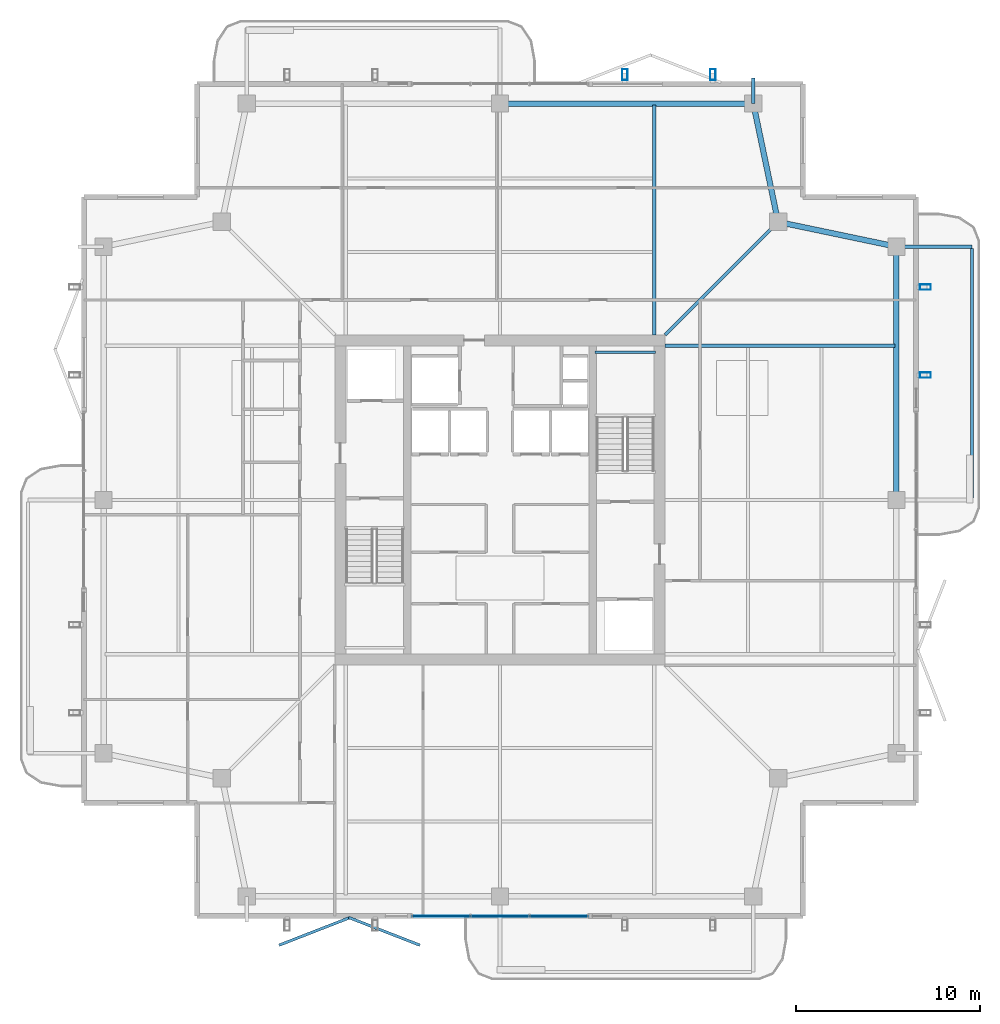
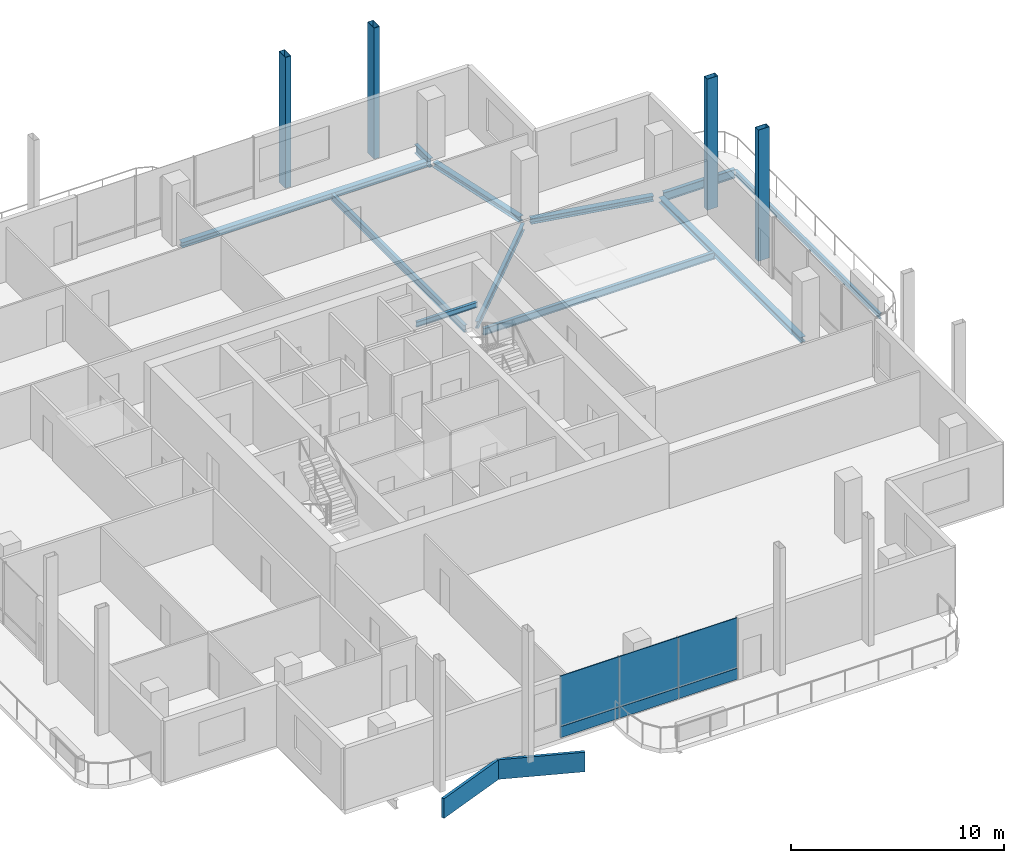
# One storey, part 12 of 20: 11 beams, 8 plates, 4 members, 1 element without a shape of its own.
"""IFC4 building model written with IfcOpenShell, lengths in metres."""

from ifc_helpers import new_model, si_unit, direction, frame, origin, origin_2d, place, context, subcontext, project, spatial, rectangle, hollow_rectangle, i_section, extrude, material, layer, layer_set, material_profile, profile_set, type_object, element, aggregate, save


model = new_model("IFC4")

# Units and contexts
model_context = context("Model", 3, precision=1e-05, world=origin(), true_north=direction((0.0, 1.0)))
body_context = subcontext(model_context, "Body", "Model", "MODEL_VIEW")
ifc_project = project(units=[si_unit("LENGTHUNIT", "METRE"), si_unit("AREAUNIT", "SQUARE_METRE"), si_unit("VOLUMEUNIT", "CUBIC_METRE"), si_unit("PLANEANGLEUNIT", "RADIAN"), si_unit("MASSUNIT", "GRAM", prefix="KILO")], contexts=[model_context])

# Site, building, storey
site_placement = place(None, origin())
site = spatial("IfcSite", under=ifc_project, at=site_placement, CompositionType="ELEMENT")
building_placement = place(site_placement, origin())
building = spatial("IfcBuilding", under=site, at=building_placement, Name="Belovzor Exchange Tower", CompositionType="ELEMENT")
storey_placement = place(building_placement, frame((0.0, 0.0, 299.25)))
storey = spatial("IfcBuildingStorey", under=building, at=storey_placement, Name="L74", CompositionType="ELEMENT", Elevation=299.25)

# Beams
ifc_material_1 = material(Name="Steel S355", Category="steel")
ifc_material_profile_1 = material_profile(ifc_material_1, i_section(OverallWidth=0.199951171875, OverallDepth=0.5, WebThickness=0.01025390625, FlangeThickness=0.01611328125, at=origin_2d()))
ifc_profile_set_1 = profile_set([ifc_material_profile_1], Name="Steel S355")
beam_type_1 = type_object("IfcBeamType", Name="Planted Balcony Cantilever Beam IPE 500", PredefinedType="BEAM", material=ifc_profile_set_1)
beam_1_placement = place(storey_placement, frame((50.660888671875, 42.60009765625, -0.489990234375), z_axis=(1.0, 0.0, 0.0), x_axis=(0.0, 1.0, 0.0)))
element("IfcBeam", 1, at=beam_1_placement, inside=storey, type_object=beam_type_1, Name="BC-500 Planted Balcony Cantilever Beam IPE 500", PredefinedType="BEAM", context=body_context, shape_type="SweptSolid", body=[
    extrude(i_section(OverallWidth=0.199951171875, OverallDepth=0.5, WebThickness=0.01025390625, FlangeThickness=0.01611328125, at=origin_2d()), origin(), (0.0, 0.0, 1.0), 3.85009765625),
])
beam_2_placement = place(storey_placement, frame((42.60009765625, 50.39990234375, -0.489990234375), z_axis=(0.0, 1.0, 0.0), x_axis=(-1.0, 0.0, 0.0)))
element("IfcBeam", 2, at=beam_2_placement, inside=storey, type_object=beam_type_1, Name="BC-500 Planted Balcony Cantilever Beam IPE 500", PredefinedType="BEAM", context=body_context, shape_type="SweptSolid", body=[
    extrude(i_section(OverallWidth=0.199951171875, OverallDepth=0.5, WebThickness=0.01025390625, FlangeThickness=0.01611328125, at=origin_2d()), origin(), (0.0, 0.0, 1.0), 1.400146484375),
])
ifc_material_2 = material(Name="Steel S355", Category="steel")
ifc_material_profile_2 = material_profile(ifc_material_2, i_section(OverallWidth=0.14990234375, OverallDepth=0.300048828125, WebThickness=0.007080078125, FlangeThickness=0.0107421875, at=origin_2d()))
ifc_profile_set_2 = profile_set([ifc_material_profile_2], Name="Steel S355")
beam_type_2 = type_object("IfcBeamType", Name="Planted Balcony Fascia Edge Beam IPE 300", PredefinedType="BEAM", material=ifc_profile_set_2)
beam_3_placement = place(storey_placement, frame((54.510986328125, 28.89990234375, -0.389892578125), z_axis=(0.0, 1.0, 0.0), x_axis=(-1.0, 0.0, 0.0)))
element("IfcBeam", 3, at=beam_3_placement, inside=storey, type_object=beam_type_2, Name="BC-300 Planted Balcony Fascia Edge Beam IPE 300", PredefinedType="BEAM", context=body_context, shape_type="SweptSolid", body=[
    extrude(i_section(OverallWidth=0.14990234375, OverallDepth=0.300048828125, WebThickness=0.007080078125, FlangeThickness=0.0107421875, at=origin_2d()), origin(), (0.0, 0.0, 1.0), 13.60009765625),
])
ifc_material_3 = material(Name="Steel S355", Category="steel")
ifc_material_profile_3 = material_profile(ifc_material_3, i_section(OverallWidth=0.14990234375, OverallDepth=0.300048828125, WebThickness=0.007080078125, FlangeThickness=0.0107421875, at=origin_2d()))
ifc_profile_set_3 = profile_set([ifc_material_profile_3], Name="Steel S355")
beam_type_3 = type_object("IfcBeamType", Name="Secondary Trim Floor Joist IPE 300", PredefinedType="BEAM", material=ifc_profile_set_3)
beam_4_placement = place(storey_placement, frame((37.280029296875, 36.85009765625, 1.52490234375), z_axis=(-1.0, 0.0, 0.0), x_axis=(0.0, -1.0, 0.0)))
element("IfcBeam", 4, at=beam_4_placement, inside=storey, type_object=beam_type_3, Name="FJ-300 Secondary Trim Floor Joist IPE 300", PredefinedType="BEAM", context=body_context, shape_type="SweptSolid", body=[
    extrude(i_section(OverallWidth=0.14990234375, OverallDepth=0.300048828125, WebThickness=0.007080078125, FlangeThickness=0.0107421875, at=origin_2d()), origin(), (0.0, 0.0, 1.0), 3.31005859375),
])

# Members
ifc_material_4 = material(Name="Extruded Architectural Terracotta on Steel S355 Carrier", Category="masonry")
ifc_material_profile_4 = material_profile(ifc_material_4, hollow_rectangle(XDim=0.300048828125, YDim=0.60009765625, WallThickness=0.01611328125, at=origin_2d()))
ifc_profile_set_4 = profile_set([ifc_material_profile_4], Name="Extruded Architectural Terracotta on Steel S355 Carrier")
member_type = type_object("IfcMemberType", Name="Upper Crown Terracotta Fin Assembly 550", PredefinedType="USERDEFINED", material=ifc_profile_set_4)
for number, where, z_axis, x_axis, name in (
    (5, (35.60009765625, 51.97509765625, -0.239990234375), (0.0, 0.0, 1.0), (1.0, 0.0, 0.0), "FIN-TC055 Terracotta Facade Fin L74 N3"),
    (6, (51.97509765625, 35.60009765625, -0.239990234375), (0.0, 0.0, 1.0), (0.0, 1.0, 0.0), "FIN-TC055 Terracotta Facade Fin L74 E3"),
    (7, (40.39990234375, 51.97509765625, -0.239990234375), (0.0, 0.0, 1.0), (1.0, 0.0, 0.0), "FIN-TC055 Terracotta Facade Fin L74 N4"),
    (8, (51.97509765625, 40.39990234375, -0.239990234375), (0.0, 0.0, 1.0), (0.0, 1.0, 0.0), "FIN-TC055 Terracotta Facade Fin L74 E4"),
):
    element("IfcMember", number, at=place(storey_placement, frame(where, z_axis=z_axis, x_axis=x_axis)), inside=storey, type_object=member_type, Name=name, ObjectType="FIN", PredefinedType="USERDEFINED", context=body_context, shape_type="SweptSolid", body=[
        extrude(hollow_rectangle(XDim=0.300048828125, YDim=0.60009765625, WallThickness=0.01611328125, at=origin_2d()), origin(), (0.0, 0.0, 1.0), 7.5),
    ])

# Beams
ifc_material_5 = material(Name="Steel S355", Category="steel")
ifc_material_profile_5 = material_profile(ifc_material_5, i_section(OverallWidth=0.179931640625, OverallDepth=0.39990234375, WebThickness=0.008544921875, FlangeThickness=0.013427734375, at=origin_2d()))
ifc_profile_set_5 = profile_set([ifc_material_profile_5], Name="Steel S355")
beam_type_4 = type_object("IfcBeamType", Name="Zone 5-6 Radial Composite Floor Beam IPE 400", PredefinedType="BEAM", material=ifc_profile_set_5)
for number, where, z_axis, x_axis, name in (
    (9, (37.199951171875, 37.800048828125, -0.43994140625), (0.0, 1.0, 0.0), (-1.0, 0.0, 0.0), "FB-400 Zone 5-6 Radial Composite Floor Beam IPE 400"),
    (10, (37.800048828125, 37.199951171875, -0.43994140625), (1.0, 0.0, 0.0), (0.0, 1.0, 0.0), "FB-400 Zone 5-6 Radial Composite Floor Beam IPE 400"),
):
    element("IfcBeam", number, at=place(storey_placement, frame(where, z_axis=z_axis, x_axis=x_axis)), inside=storey, type_object=beam_type_4, Name=name, PredefinedType="BEAM", context=body_context, shape_type="SweptSolid", body=[
        extrude(i_section(OverallWidth=0.179931640625, OverallDepth=0.39990234375, WebThickness=0.008544921875, FlangeThickness=0.013427734375, at=origin_2d()), origin(), (0.0, 0.0, 1.0), 12.52490234375),
    ])
beam_5_placement = place(storey_placement, frame((37.800048828125, 37.800048828125, -0.43994140625), z_axis=(0.707106781187, 0.707106781187, 0.0), x_axis=(-0.707106781187, 0.707106781187, 0.0)))
element("IfcBeam", 11, at=beam_5_placement, inside=storey, type_object=beam_type_4, Name="FB-400 Zone 5-6 Radial Composite Floor Beam IPE 400", PredefinedType="BEAM", context=body_context, shape_type="SweptSolid", body=[
    extrude(i_section(OverallWidth=0.179931640625, OverallDepth=0.39990234375, WebThickness=0.008544921875, FlangeThickness=0.013427734375, at=origin_2d()), origin(), (0.0, 0.0, 1.0), 8.362060546875),
])
ifc_material_6 = material(Name="Steel S355", Category="steel")
ifc_material_profile_6 = material_profile(ifc_material_6, i_section(OverallWidth=0.300048828125, OverallDepth=0.300048828125, WebThickness=0.008544921875, FlangeThickness=0.013916015625, at=origin_2d()))
ifc_profile_set_6 = profile_set([ifc_material_profile_6], Name="Steel S355")
beam_type_5 = type_object("IfcBeamType", Name="Zone 6 Primary Girder HEA 300", PredefinedType="BEAM", material=ifc_profile_set_6)
beam_6_placement = place(storey_placement, frame((50.39990234375, 29.06103515625, -0.389892578125), z_axis=(0.0, 1.0, 0.0), x_axis=(-1.0, 0.0, 0.0)))
element("IfcBeam", 12, at=beam_6_placement, inside=storey, type_object=beam_type_5, Name="FG-Z6 Zone 6 Primary Girder HEA 300", PredefinedType="BEAM", context=body_context, shape_type="SweptSolid", body=[
    extrude(i_section(OverallWidth=0.300048828125, OverallDepth=0.300048828125, WebThickness=0.008544921875, FlangeThickness=0.013916015625, at=origin_2d()), origin(), (0.0, 0.0, 1.0), 13.278076171875),
])
for number, where, z_axis, x_axis, name in (
    (13, (50.14404296875, 42.654052734375, -0.389892578125), (-0.978820078908, 0.204722380619, 0.0), (-0.204722380619, -0.978820078908, 0.0), "FG-Z6 Zone 6 Primary Girder HEA 300"),
    (14, (43.89599609375, 44.2060546875, -0.389892578125), (-0.204722380619, 0.978820078908, 0.0), (-0.978820078908, -0.204722380619, 0.0), "FG-Z6 Zone 6 Primary Girder HEA 300"),
):
    element("IfcBeam", number, at=place(storey_placement, frame(where, z_axis=z_axis, x_axis=x_axis)), inside=storey, type_object=beam_type_5, Name=name, PredefinedType="BEAM", context=body_context, shape_type="SweptSolid", body=[
        extrude(i_section(OverallWidth=0.300048828125, OverallDepth=0.300048828125, WebThickness=0.008544921875, FlangeThickness=0.013916015625, at=origin_2d()), origin(), (0.0, 0.0, 1.0), 6.06640625),
    ])
beam_7_placement = place(storey_placement, frame((42.339111328125, 50.39990234375, -0.389892578125), z_axis=(-1.0, 0.0, 0.0), x_axis=(0.0, -1.0, 0.0)))
element("IfcBeam", 15, at=beam_7_placement, inside=storey, type_object=beam_type_5, Name="FG-Z6 Zone 6 Primary Girder HEA 300", PredefinedType="BEAM", context=body_context, shape_type="SweptSolid", body=[
    extrude(i_section(OverallWidth=0.300048828125, OverallDepth=0.300048828125, WebThickness=0.008544921875, FlangeThickness=0.013916015625, at=origin_2d()), origin(), (0.0, 0.0, 1.0), 13.278076171875),
])

# Curtain wall, plates
ifc_material_7 = material(Name="Anodised Aluminium Framing", Category="aluminium")
ifc_layer_1 = layer(ifc_material_7, 0.179931640625)
ifc_layer_set_1 = layer_set([ifc_layer_1], Name="Anodised Aluminium Framing")
curtain_wall_type = type_object("IfcCurtainWallType", Name="Recessed Loggia Low-Iron Triple-Glazed Curtain Wall", PredefinedType="NOTDEFINED", material=ifc_layer_set_1)
curtain_wall_placement = place(storey_placement, origin())
curtain_wall = element("IfcCurtainWall", 16, at=curtain_wall_placement, inside=storey, type_object=curtain_wall_type, Name="CW3 Recessed Loggia Low-Iron Triple-Glazed Curtain Wall L74", PredefinedType="NOTDEFINED")
ifc_material_8 = material(Name="Solar-Control Triple Glazing", Category="glass")
ifc_layer_2 = layer(ifc_material_8, 0.0439453125)
ifc_layer_set_2 = layer_set([ifc_layer_2], Name="Solar-Control Triple Glazing")
plate_type_1 = type_object("IfcPlateType", Name="Insulated Solar Glazing Curtain Panel 44", PredefinedType="CURTAIN_PANEL", material=ifc_layer_set_2)
plate_1_placement = place(storey_placement, frame((32.0, 6.1298828125, 0.634033203125), z_axis=(0.0, 0.0, 1.0), x_axis=(-1.0, 0.0, 0.0)))
plate_1 = element("IfcPlate", 17, at=plate_1_placement, type_object=plate_type_1, Name="GLZ-44 Glazed Curtain Panel 1", PredefinedType="CURTAIN_PANEL", context=body_context, shape_type="SweptSolid", body=[
    extrude(rectangle(XDim=3.18408203125, YDim=0.0439453125, at=origin_2d()), origin(), (0.0, 0.0, 1.0), 2.8759765625),
])
plate_2_placement = place(storey_placement, frame((28.800048828125, 6.1298828125, 0.634033203125), z_axis=(0.0, 0.0, 1.0), x_axis=(-1.0, 0.0, 0.0)))
plate_2 = element("IfcPlate", 18, at=plate_2_placement, type_object=plate_type_1, Name="GLZ-44 Glazed Curtain Panel 2", PredefinedType="CURTAIN_PANEL", context=body_context, shape_type="SweptSolid", body=[
    extrude(rectangle(XDim=3.18408203125, YDim=0.0439453125, at=origin_2d()), origin(), (0.0, 0.0, 1.0), 2.8759765625),
])
plate_3_placement = place(storey_placement, frame((25.60009765625, 6.1298828125, 0.634033203125), z_axis=(0.0, 0.0, 1.0), x_axis=(-1.0, 0.0, 0.0)))
plate_3 = element("IfcPlate", 19, at=plate_3_placement, type_object=plate_type_1, Name="GLZ-44 Glazed Curtain Panel 3", PredefinedType="CURTAIN_PANEL", context=body_context, shape_type="SweptSolid", body=[
    extrude(rectangle(XDim=3.18408203125, YDim=0.0439453125, at=origin_2d()), origin(), (0.0, 0.0, 1.0), 2.8759765625),
])
ifc_material_9 = material(Name="Extruded Architectural Terracotta", Category="masonry")
ifc_layer_3 = layer(ifc_material_9, 0.090087890625)
ifc_layer_set_3 = layer_set([ifc_layer_3], Name="Extruded Architectural Terracotta")
plate_type_2 = type_object("IfcPlateType", Name="Terracotta Shadow-Box Spandrel Panel 90", PredefinedType="CURTAIN_PANEL", material=ifc_layer_set_3)
plate_4_placement = place(storey_placement, frame((32.0, 6.1298828125, 0.0), z_axis=(0.0, 0.0, 1.0), x_axis=(-1.0, 0.0, 0.0)))
plate_4 = element("IfcPlate", 20, at=plate_4_placement, type_object=plate_type_2, Name="SPD-90 Spandrel Panel 1", PredefinedType="CURTAIN_PANEL", context=body_context, shape_type="SweptSolid", body=[
    extrude(rectangle(XDim=3.18408203125, YDim=0.090087890625, at=origin_2d()), origin(), (0.0, 0.0, 1.0), 0.6298828125),
])
plate_5_placement = place(storey_placement, frame((28.800048828125, 6.1298828125, 0.0), z_axis=(0.0, 0.0, 1.0), x_axis=(-1.0, 0.0, 0.0)))
plate_5 = element("IfcPlate", 21, at=plate_5_placement, type_object=plate_type_2, Name="SPD-90 Spandrel Panel 2", PredefinedType="CURTAIN_PANEL", context=body_context, shape_type="SweptSolid", body=[
    extrude(rectangle(XDim=3.18408203125, YDim=0.090087890625, at=origin_2d()), origin(), (0.0, 0.0, 1.0), 0.6298828125),
])
plate_6_placement = place(storey_placement, frame((25.60009765625, 6.1298828125, 0.0), z_axis=(0.0, 0.0, 1.0), x_axis=(-1.0, 0.0, 0.0)))
plate_6 = element("IfcPlate", 22, at=plate_6_placement, type_object=plate_type_2, Name="SPD-90 Spandrel Panel 3", PredefinedType="CURTAIN_PANEL", context=body_context, shape_type="SweptSolid", body=[
    extrude(rectangle(XDim=3.18408203125, YDim=0.090087890625, at=origin_2d()), origin(), (0.0, 0.0, 1.0), 0.6298828125),
])
aggregate(curtain_wall, [plate_4, plate_1, plate_5, plate_2, plate_6, plate_3])

# Plates
ifc_material_10 = material(Name="Extruded Architectural Terracotta", Category="masonry")
ifc_layer_4 = layer(ifc_material_10, 0.14990234375)
ifc_layer_set_4 = layer_set([ifc_layer_4], Name="Extruded Architectural Terracotta")
plate_type_3 = type_object("IfcPlateType", Name="Upper-Crown Deep Folded Zigzag Terracotta Spandrel Louvre 150", PredefinedType="USERDEFINED", material=ifc_layer_set_4)
for number, where, z_axis, x_axis, name in (
    (23, (18.699951171875, 5.300048828125, -1.10498046875), (0.0, 0.0, 1.0), (0.931817969421, 0.362925986758, 0.0), "LVR-ZZ3 Zigzag Terracotta Spandrel Louvre L74 S1A"),
    (24, (22.5, 5.300048828125, -1.10498046875), (0.0, 0.0, 1.0), (0.931817969421, -0.362925986758, 0.0), "LVR-ZZ3 Zigzag Terracotta Spandrel Louvre L74 S1B"),
):
    element("IfcPlate", number, at=place(storey_placement, frame(where, z_axis=z_axis, x_axis=x_axis)), inside=storey, type_object=plate_type_3, Name=name, ObjectType="SPANDREL_LOUVRE", PredefinedType="USERDEFINED", context=body_context, shape_type="SweptSolid", body=[
        extrude(rectangle(XDim=4.157958984375, YDim=0.14990234375, at=origin_2d()), origin(), (0.0, 0.0, 1.0), 1.1201171875),
    ])

save(model, "model.ifc")
